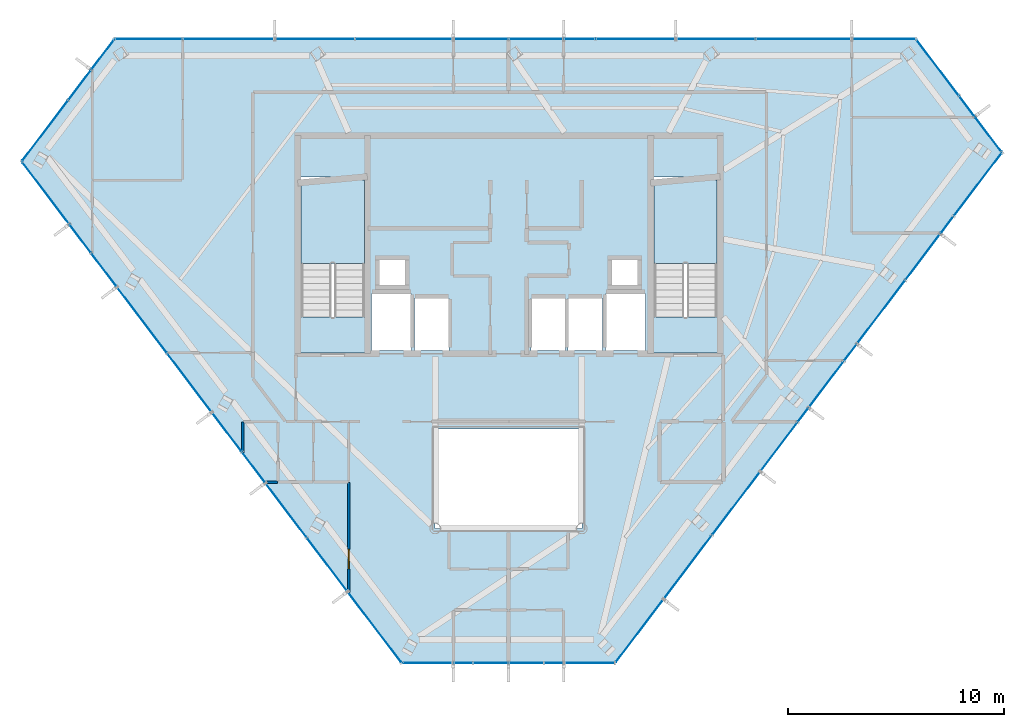
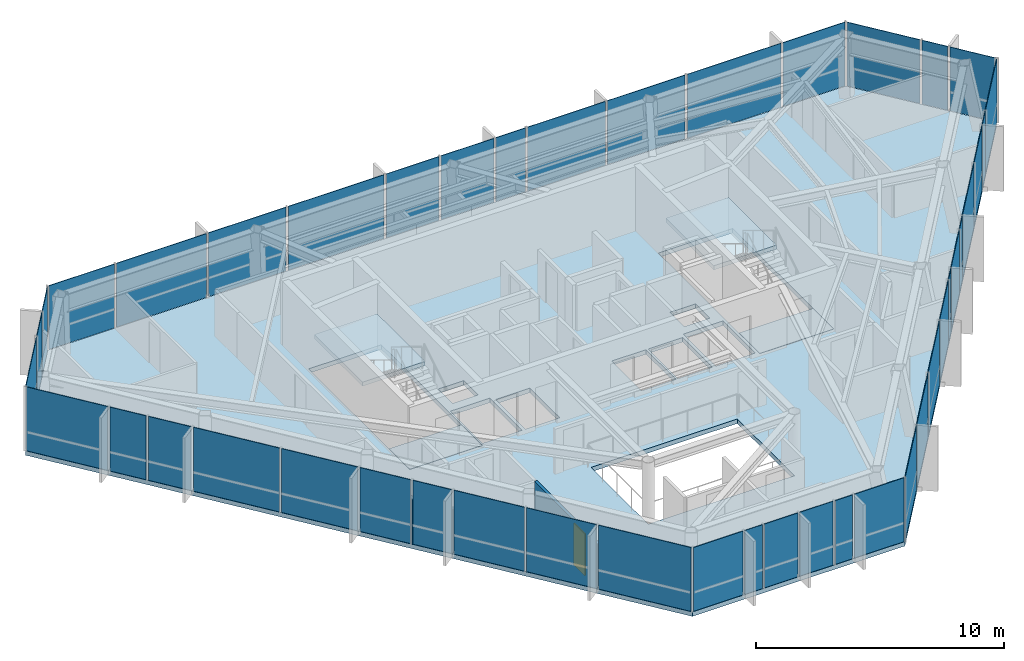
# One storey, part 21 of 26: 44 plates, 5 slabs, 3 walls, 1 door, 1 opening, 8 elements without a shape of their own.
"""IFC4 building model written with IfcOpenShell, lengths in metres."""

from ifc_helpers import new_model, si_unit, direction, frame, frame_2d, origin, origin_2d, place, context, subcontext, project, spatial, polyline, rectangle, outline, extrude, material, layer, layer_set, type_object, element, fill, aggregate, save


model = new_model("IFC4")

# Units and contexts
model_context = context("Model", 3, precision=1e-05, world=origin(), true_north=direction((0.0, 1.0)))
body_context = subcontext(model_context, "Body", "Model", "MODEL_VIEW")
ifc_project = project(units=[si_unit("LENGTHUNIT", "METRE"), si_unit("AREAUNIT", "SQUARE_METRE"), si_unit("VOLUMEUNIT", "CUBIC_METRE"), si_unit("PLANEANGLEUNIT", "RADIAN"), si_unit("MASSUNIT", "GRAM", prefix="KILO")], contexts=[model_context])

# Site, building, storey
site_placement = place(None, origin())
site = spatial("IfcSite", under=ifc_project, at=site_placement, CompositionType="ELEMENT")
building_placement = place(site_placement, origin())
building = spatial("IfcBuilding", under=site, at=building_placement, Name="Zarrinselat Tower", CompositionType="ELEMENT")
storey_placement = place(building_placement, frame((0.0, 0.0, 265.199951171875)))
storey = spatial("IfcBuildingStorey", under=building, at=storey_placement, Name="L67", CompositionType="ELEMENT", Elevation=265.199951171875)

# Curtain wall, plates
ifc_material_1 = material(Name="Extruded Aluminium Alloy EN AW-6063 T6", Category="aluminium")
ifc_layer_1 = layer(ifc_material_1, 0.169921875)
ifc_layer_set_1 = layer_set([ifc_layer_1], Name="Extruded Aluminium Alloy EN AW-6063 T6")
curtain_wall_type_1 = type_object("IfcCurtainWallType", Name="CWS-RES", PredefinedType="NOTDEFINED", material=ifc_layer_set_1)
curtain_wall_1_placement = place(storey_placement, origin())
curtain_wall_1 = element("IfcCurtainWall", 1, at=curtain_wall_1_placement, inside=storey, type_object=curtain_wall_type_1, Name="L67 Unitised Curtain Wall CW-L67-E01", PredefinedType="NOTDEFINED")
ifc_material_2 = material(Name="Double Low-E Laminated Solar Glass", Category="glass")
ifc_layer_2 = layer(ifc_material_2, 0.028076171875)
ifc_layer_set_2 = layer_set([ifc_layer_2], Name="Double Low-E Laminated Solar Glass")
plate_type = type_object("IfcPlateType", Name="PLT-CW-GL28", PredefinedType="CURTAIN_PANEL", material=ifc_layer_set_2)
plate_1_placement = place(storey_placement, frame((55.787841796875, 47.86669921875, 0.02001953125), z_axis=(0.0, 0.0, 1.0), x_axis=(-1.0, 0.0, 0.0)))
plate_1 = element("IfcPlate", 2, at=plate_1_placement, type_object=plate_type, Name="CW-L67-E01 Vision Glass Panel 1", PredefinedType="CURTAIN_PANEL", context=body_context, shape_type="SweptSolid", body=[
    extrude(rectangle(XDim=2.87353515625, YDim=0.028076171875, at=origin_2d()), origin(), (0.0, 0.0, 1.0), 3.139892578125),
])
plate_2_placement = place(storey_placement, frame((52.07568359375, 47.86669921875, 0.02001953125), z_axis=(0.0, 0.0, 1.0), x_axis=(-1.0, 0.0, 0.0)))
plate_2 = element("IfcPlate", 3, at=plate_2_placement, type_object=plate_type, Name="CW-L67-E01 Vision Glass Panel 2", PredefinedType="CURTAIN_PANEL", context=body_context, shape_type="SweptSolid", body=[
    extrude(rectangle(XDim=4.3505859375, YDim=0.028076171875, at=origin_2d()), origin(), (0.0, 0.0, 1.0), 3.139892578125),
])
plate_3_placement = place(storey_placement, frame((47.994384765625, 47.86669921875, 0.02001953125), z_axis=(0.0, 0.0, 1.0), x_axis=(-1.0, 0.0, 0.0)))
plate_3 = element("IfcPlate", 4, at=plate_3_placement, type_object=plate_type, Name="CW-L67-E01 Vision Glass Panel 3", PredefinedType="CURTAIN_PANEL", context=body_context, shape_type="SweptSolid", body=[
    extrude(rectangle(XDim=3.612060546875, YDim=0.028076171875, at=origin_2d()), origin(), (0.0, 0.0, 1.0), 3.139892578125),
])
plate_4_placement = place(storey_placement, frame((44.281982421875, 47.86669921875, 0.02001953125), z_axis=(0.0, 0.0, 1.0), x_axis=(-1.0, 0.0, 0.0)))
plate_4 = element("IfcPlate", 5, at=plate_4_placement, type_object=plate_type, Name="CW-L67-E01 Vision Glass Panel 4", PredefinedType="CURTAIN_PANEL", context=body_context, shape_type="SweptSolid", body=[
    extrude(rectangle(XDim=3.612060546875, YDim=0.028076171875, at=origin_2d()), origin(), (0.0, 0.0, 1.0), 3.139892578125),
])
plate_5_placement = place(storey_placement, frame((41.68798828125, 47.86669921875, 0.02001953125), z_axis=(0.0, 0.0, 1.0), x_axis=(-1.0, 0.0, 0.0)))
plate_5 = element("IfcPlate", 6, at=plate_5_placement, type_object=plate_type, Name="CW-L67-E01 Vision Glass Panel 5", PredefinedType="CURTAIN_PANEL", context=body_context, shape_type="SweptSolid", body=[
    extrude(rectangle(XDim=1.376220703125, YDim=0.028076171875, at=origin_2d()), origin(), (0.0, 0.0, 1.0), 3.139892578125),
])
plate_6_placement = place(storey_placement, frame((39.675048828125, 47.86669921875, 0.02001953125), z_axis=(0.0, 0.0, 1.0), x_axis=(-1.0, 0.0, 0.0)))
plate_6 = element("IfcPlate", 7, at=plate_6_placement, type_object=plate_type, Name="CW-L67-E01 Vision Glass Panel 6", PredefinedType="CURTAIN_PANEL", context=body_context, shape_type="SweptSolid", body=[
    extrude(rectangle(XDim=2.449951171875, YDim=0.028076171875, at=origin_2d()), origin(), (0.0, 0.0, 1.0), 3.139892578125),
])
plate_7_placement = place(storey_placement, frame((37.125, 47.86669921875, 0.02001953125), z_axis=(0.0, 0.0, 1.0), x_axis=(-1.0, 0.0, 0.0)))
plate_7 = element("IfcPlate", 8, at=plate_7_placement, type_object=plate_type, Name="CW-L67-E01 Vision Glass Panel 7", PredefinedType="CURTAIN_PANEL", context=body_context, shape_type="SweptSolid", body=[
    extrude(rectangle(XDim=2.449951171875, YDim=0.028076171875, at=origin_2d()), origin(), (0.0, 0.0, 1.0), 3.139892578125),
])
plate_8_placement = place(storey_placement, frame((33.56982421875, 47.86669921875, 0.02001953125), z_axis=(0.0, 0.0, 1.0), x_axis=(-1.0, 0.0, 0.0)))
plate_8 = element("IfcPlate", 9, at=plate_8_placement, type_object=plate_type, Name="CW-L67-E01 Vision Glass Panel 8", PredefinedType="CURTAIN_PANEL", context=body_context, shape_type="SweptSolid", body=[
    extrude(rectangle(XDim=4.460205078125, YDim=0.028076171875, at=origin_2d()), origin(), (0.0, 0.0, 1.0), 3.139892578125),
])
plate_9_placement = place(storey_placement, frame((29.43359375, 47.86669921875, 0.02001953125), z_axis=(0.0, 0.0, 1.0), x_axis=(-1.0, 0.0, 0.0)))
plate_9 = element("IfcPlate", 10, at=plate_9_placement, type_object=plate_type, Name="CW-L67-E01 Vision Glass Panel 9", PredefinedType="CURTAIN_PANEL", context=body_context, shape_type="SweptSolid", body=[
    extrude(rectangle(XDim=3.612060546875, YDim=0.028076171875, at=origin_2d()), origin(), (0.0, 0.0, 1.0), 3.139892578125),
])
plate_10_placement = place(storey_placement, frame((25.440673828125, 47.86669921875, 0.02001953125), z_axis=(0.0, 0.0, 1.0), x_axis=(-1.0, 0.0, 0.0)))
plate_10 = element("IfcPlate", 11, at=plate_10_placement, type_object=plate_type, Name="CW-L67-E01 Vision Glass Panel 10", PredefinedType="CURTAIN_PANEL", context=body_context, shape_type="SweptSolid", body=[
    extrude(rectangle(XDim=4.173828125, YDim=0.028076171875, at=origin_2d()), origin(), (0.0, 0.0, 1.0), 3.139892578125),
])
plate_11_placement = place(storey_placement, frame((21.728515625, 47.86669921875, 0.02001953125), z_axis=(0.0, 0.0, 1.0), x_axis=(-1.0, 0.0, 0.0)))
plate_11 = element("IfcPlate", 12, at=plate_11_placement, type_object=plate_type, Name="CW-L67-E01 Vision Glass Panel 11", PredefinedType="CURTAIN_PANEL", context=body_context, shape_type="SweptSolid", body=[
    extrude(rectangle(XDim=3.05029296875, YDim=0.028076171875, at=origin_2d()), origin(), (0.0, 0.0, 1.0), 3.139892578125),
])
aggregate(curtain_wall_1, [plate_1, plate_2, plate_3, plate_4, plate_5, plate_6, plate_7, plate_8, plate_9, plate_10, plate_11])

curtain_wall_2_placement = place(storey_placement, origin())
curtain_wall_2 = element("IfcCurtainWall", 13, at=curtain_wall_2_placement, inside=storey, type_object=curtain_wall_type_1, Name="L67 Unitised Curtain Wall CW-L67-E02", PredefinedType="NOTDEFINED")
plate_12_placement = place(storey_placement, frame((19.613525390625, 47.154296875, 0.02001953125), z_axis=(0.0, 0.0, 1.0), x_axis=(-0.60385470922, -0.797094404793, 0.0)))
plate_12 = element("IfcPlate", 14, at=plate_12_placement, type_object=plate_type, Name="CW-L67-E02 Vision Glass Panel 1", PredefinedType="CURTAIN_PANEL", context=body_context, shape_type="SweptSolid", body=[
    extrude(rectangle(XDim=1.687744140625, YDim=0.028076171875, at=origin_2d()), origin(), (0.0, 0.0, 1.0), 3.139892578125),
])
plate_13_placement = place(storey_placement, frame((18.540283203125, 45.7373046875, 0.02001953125), z_axis=(0.0, 0.0, 1.0), x_axis=(-0.60385470922, -0.797094404793, 0.0)))
plate_13 = element("IfcPlate", 15, at=plate_13_placement, type_object=plate_type, Name="CW-L67-E02 Vision Glass Panel 2", PredefinedType="CURTAIN_PANEL", context=body_context, shape_type="SweptSolid", body=[
    extrude(rectangle(XDim=1.667236328125, YDim=0.028076171875, at=origin_2d()), origin(), (0.0, 0.0, 1.0), 3.139892578125),
])
plate_14_placement = place(storey_placement, frame((16.933349609375, 43.6162109375, 0.02001953125), z_axis=(0.0, 0.0, 1.0), x_axis=(-0.60385470922, -0.797094404793, 0.0)))
plate_14 = element("IfcPlate", 16, at=plate_14_placement, type_object=plate_type, Name="CW-L67-E02 Vision Glass Panel 3", PredefinedType="CURTAIN_PANEL", context=body_context, shape_type="SweptSolid", body=[
    extrude(rectangle(XDim=3.454833984375, YDim=0.028076171875, at=origin_2d()), origin(), (0.0, 0.0, 1.0), 3.139892578125),
])
aggregate(curtain_wall_2, [plate_12, plate_13, plate_14])

curtain_wall_3_placement = place(storey_placement, origin())
curtain_wall_3 = element("IfcCurtainWall", 17, at=curtain_wall_3_placement, inside=storey, type_object=curtain_wall_type_1, Name="L67 Unitised Curtain Wall CW-L67-E03", PredefinedType="NOTDEFINED")
plate_15_placement = place(storey_placement, frame((16.959716796875, 40.747802734375, 0.02001953125), z_axis=(0.0, 0.0, 1.0), x_axis=(0.603858282603, -0.797091697694, 0.0)))
plate_15 = element("IfcPlate", 18, at=plate_15_placement, type_object=plate_type, Name="CW-L67-E03 Vision Glass Panel 1", PredefinedType="CURTAIN_PANEL", context=body_context, shape_type="SweptSolid", body=[
    extrude(rectangle(XDim=3.542724609375, YDim=0.028076171875, at=origin_2d()), origin(), (0.0, 0.0, 1.0), 3.139892578125),
])
plate_16_placement = place(storey_placement, frame((18.566650390625, 38.626708984375, 0.02001953125), z_axis=(0.0, 0.0, 1.0), x_axis=(0.603858282603, -0.797091697694, 0.0)))
plate_16 = element("IfcPlate", 19, at=plate_16_placement, type_object=plate_type, Name="CW-L67-E03 Vision Glass Panel 2", PredefinedType="CURTAIN_PANEL", context=body_context, shape_type="SweptSolid", body=[
    extrude(rectangle(XDim=1.579345703125, YDim=0.028076171875, at=origin_2d()), origin(), (0.0, 0.0, 1.0), 3.139892578125),
])
plate_17_placement = place(storey_placement, frame((19.66650390625, 37.1748046875, 0.02001953125), z_axis=(0.0, 0.0, 1.0), x_axis=(0.603858282603, -0.797091697694, 0.0)))
plate_17 = element("IfcPlate", 20, at=plate_17_placement, type_object=plate_type, Name="CW-L67-E03 Vision Glass Panel 3", PredefinedType="CURTAIN_PANEL", context=body_context, shape_type="SweptSolid", body=[
    extrude(rectangle(XDim=1.86328125, YDim=0.028076171875, at=origin_2d()), origin(), (0.0, 0.0, 1.0), 3.139892578125),
])
plate_18_placement = place(storey_placement, frame((21.42626953125, 34.85205078125, 0.02001953125), z_axis=(0.0, 0.0, 1.0), x_axis=(0.603858282603, -0.797091697694, 0.0)))
plate_18 = element("IfcPlate", 21, at=plate_18_placement, type_object=plate_type, Name="CW-L67-E03 Vision Glass Panel 4", PredefinedType="CURTAIN_PANEL", context=body_context, shape_type="SweptSolid", body=[
    extrude(rectangle(XDim=3.764892578125, YDim=0.028076171875, at=origin_2d()), origin(), (0.0, 0.0, 1.0), 3.139892578125),
])
plate_19_placement = place(storey_placement, frame((23.6259765625, 31.948486328125, 0.02001953125), z_axis=(0.0, 0.0, 1.0), x_axis=(0.603858282603, -0.797091697694, 0.0)))
plate_19 = element("IfcPlate", 22, at=plate_19_placement, type_object=plate_type, Name="CW-L67-E03 Vision Glass Panel 5", PredefinedType="CURTAIN_PANEL", context=body_context, shape_type="SweptSolid", body=[
    extrude(rectangle(XDim=3.320556640625, YDim=0.028076171875, at=origin_2d()), origin(), (0.0, 0.0, 1.0), 3.139892578125),
])
plate_20_placement = place(storey_placement, frame((25.35546875, 29.66552734375, 0.02001953125), z_axis=(0.0, 0.0, 1.0), x_axis=(0.603858282603, -0.797091697694, 0.0)))
plate_20 = element("IfcPlate", 23, at=plate_20_placement, type_object=plate_type, Name="CW-L67-E03 Vision Glass Panel 6", PredefinedType="CURTAIN_PANEL", context=body_context, shape_type="SweptSolid", body=[
    extrude(rectangle(XDim=2.207763671875, YDim=0.028076171875, at=origin_2d()), origin(), (0.0, 0.0, 1.0), 3.139892578125),
])
plate_21_placement = place(storey_placement, frame((26.594482421875, 28.02978515625, 0.02001953125), z_axis=(0.0, 0.0, 1.0), x_axis=(0.603858282603, -0.797091697694, 0.0)))
plate_21 = element("IfcPlate", 24, at=plate_21_placement, type_object=plate_type, Name="CW-L67-E03 Vision Glass Panel 7", PredefinedType="CURTAIN_PANEL", context=body_context, shape_type="SweptSolid", body=[
    extrude(rectangle(XDim=1.696533203125, YDim=0.028076171875, at=origin_2d()), origin(), (0.0, 0.0, 1.0), 3.139892578125),
])
plate_22_placement = place(storey_placement, frame((28.097412109375, 26.0458984375, 0.02001953125), z_axis=(0.0, 0.0, 1.0), x_axis=(0.603858282603, -0.797091697694, 0.0)))
plate_22 = element("IfcPlate", 25, at=plate_22_placement, type_object=plate_type, Name="CW-L67-E03 Vision Glass Panel 8", PredefinedType="CURTAIN_PANEL", context=body_context, shape_type="SweptSolid", body=[
    extrude(rectangle(XDim=3.0810546875, YDim=0.028076171875, at=origin_2d()), origin(), (0.0, 0.0, 1.0), 3.139892578125),
])
plate_23_placement = place(storey_placement, frame((30.004150390625, 23.529296875, 0.02001953125), z_axis=(0.0, 0.0, 1.0), x_axis=(0.603858282603, -0.797091697694, 0.0)))
plate_23 = element("IfcPlate", 26, at=plate_23_placement, type_object=plate_type, Name="CW-L67-E03 Vision Glass Panel 9", PredefinedType="CURTAIN_PANEL", context=body_context, shape_type="SweptSolid", body=[
    extrude(rectangle(XDim=3.033447265625, YDim=0.028076171875, at=origin_2d()), origin(), (0.0, 0.0, 1.0), 3.139892578125),
])
plate_24_placement = place(storey_placement, frame((32.20361328125, 20.625732421875, 0.02001953125), z_axis=(0.0, 0.0, 1.0), x_axis=(0.603858282603, -0.797091697694, 0.0)))
plate_24 = element("IfcPlate", 27, at=plate_24_placement, type_object=plate_type, Name="CW-L67-E03 Vision Glass Panel 10", PredefinedType="CURTAIN_PANEL", context=body_context, shape_type="SweptSolid", body=[
    extrude(rectangle(XDim=4.0517578125, YDim=0.028076171875, at=origin_2d()), origin(), (0.0, 0.0, 1.0), 3.139892578125),
])
aggregate(curtain_wall_3, [plate_15, plate_16, plate_17, plate_18, plate_19, plate_20, plate_21, plate_22, plate_23, plate_24])

curtain_wall_4_placement = place(storey_placement, origin())
curtain_wall_4 = element("IfcCurtainWall", 28, at=curtain_wall_4_placement, inside=storey, type_object=curtain_wall_type_1, Name="L67 Unitised Curtain Wall CW-L67-E04", PredefinedType="NOTDEFINED")
plate_25_placement = place(storey_placement, frame((34.653564453125, 18.97119140625, 0.02001953125), z_axis=(0.0, 0.0, 1.0), x_axis=(1.0, 0.0, 0.0)))
plate_25 = element("IfcPlate", 29, at=plate_25_placement, type_object=plate_type, Name="CW-L67-E04 Vision Glass Panel 1", PredefinedType="CURTAIN_PANEL", context=body_context, shape_type="SweptSolid", body=[
    extrude(rectangle(XDim=2.292724609375, YDim=0.028076171875, at=origin_2d()), origin(), (0.0, 0.0, 1.0), 3.139892578125),
])
plate_26_placement = place(storey_placement, frame((36.30126953125, 18.97119140625, 0.02001953125), z_axis=(0.0, 0.0, 1.0), x_axis=(1.0, 0.0, 0.0)))
plate_26 = element("IfcPlate", 30, at=plate_26_placement, type_object=plate_type, Name="CW-L67-E04 Vision Glass Panel 2", PredefinedType="CURTAIN_PANEL", context=body_context, shape_type="SweptSolid", body=[
    extrude(rectangle(XDim=0.802490234375, YDim=0.028076171875, at=origin_2d()), origin(), (0.0, 0.0, 1.0), 3.139892578125),
])
plate_27_placement = place(storey_placement, frame((37.576171875, 18.97119140625, 0.02001953125), z_axis=(0.0, 0.0, 1.0), x_axis=(1.0, 0.0, 0.0)))
plate_27 = element("IfcPlate", 31, at=plate_27_placement, type_object=plate_type, Name="CW-L67-E04 Vision Glass Panel 3", PredefinedType="CURTAIN_PANEL", context=body_context, shape_type="SweptSolid", body=[
    extrude(rectangle(XDim=1.547607421875, YDim=0.028076171875, at=origin_2d()), origin(), (0.0, 0.0, 1.0), 3.139892578125),
])
plate_28_placement = place(storey_placement, frame((39.223876953125, 18.97119140625, 0.02001953125), z_axis=(0.0, 0.0, 1.0), x_axis=(1.0, 0.0, 0.0)))
plate_28 = element("IfcPlate", 32, at=plate_28_placement, type_object=plate_type, Name="CW-L67-E04 Vision Glass Panel 4", PredefinedType="CURTAIN_PANEL", context=body_context, shape_type="SweptSolid", body=[
    extrude(rectangle(XDim=1.547607421875, YDim=0.028076171875, at=origin_2d()), origin(), (0.0, 0.0, 1.0), 3.139892578125),
])
plate_29_placement = place(storey_placement, frame((40.498779296875, 18.97119140625, 0.02001953125), z_axis=(0.0, 0.0, 1.0), x_axis=(1.0, 0.0, 0.0)))
plate_29 = element("IfcPlate", 33, at=plate_29_placement, type_object=plate_type, Name="CW-L67-E04 Vision Glass Panel 5", PredefinedType="CURTAIN_PANEL", context=body_context, shape_type="SweptSolid", body=[
    extrude(rectangle(XDim=0.802490234375, YDim=0.028076171875, at=origin_2d()), origin(), (0.0, 0.0, 1.0), 3.139892578125),
])
plate_30_placement = place(storey_placement, frame((42.146240234375, 18.97119140625, 0.02001953125), z_axis=(0.0, 0.0, 1.0), x_axis=(1.0, 0.0, 0.0)))
plate_30 = element("IfcPlate", 34, at=plate_30_placement, type_object=plate_type, Name="CW-L67-E04 Vision Glass Panel 6", PredefinedType="CURTAIN_PANEL", context=body_context, shape_type="SweptSolid", body=[
    extrude(rectangle(XDim=2.292724609375, YDim=0.028076171875, at=origin_2d()), origin(), (0.0, 0.0, 1.0), 3.139892578125),
])
aggregate(curtain_wall_4, [plate_25, plate_26, plate_27, plate_28, plate_29, plate_30])

ifc_material_3 = material(Name="Extruded Aluminium Alloy EN AW-6063 T6", Category="aluminium")
ifc_layer_3 = layer(ifc_material_3, 0.199951171875)
ifc_layer_set_3 = layer_set([ifc_layer_3], Name="Extruded Aluminium Alloy EN AW-6063 T6")
curtain_wall_type_2 = type_object("IfcCurtainWallType", Name="CWS-BLADE", PredefinedType="NOTDEFINED", material=ifc_layer_set_3)
curtain_wall_5_placement = place(storey_placement, origin())
curtain_wall_5 = element("IfcCurtainWall", 35, at=curtain_wall_5_placement, inside=storey, type_object=curtain_wall_type_2, Name="L67 Unitised Curtain Wall CW-L67-E05", PredefinedType="NOTDEFINED")
plate_31_placement = place(storey_placement, frame((44.462158203125, 20.44873046875, 0.02001953125), z_axis=(0.0, 0.0, 1.0), x_axis=(0.603859570382, 0.7970907221, 0.0)))
plate_31 = element("IfcPlate", 36, at=plate_31_placement, type_object=plate_type, Name="CW-L67-E05 Vision Glass Panel 1", PredefinedType="CURTAIN_PANEL", context=body_context, shape_type="SweptSolid", body=[
    extrude(rectangle(XDim=3.607666015625, YDim=0.028076171875, at=origin_2d()), origin(), (0.0, 0.0, 1.0), 3.139892578125),
])
plate_32_placement = place(storey_placement, frame((46.701171875, 23.404052734375, 0.02001953125), z_axis=(0.0, 0.0, 1.0), x_axis=(0.603859570382, 0.7970907221, 0.0)))
plate_32 = element("IfcPlate", 37, at=plate_32_placement, type_object=plate_type, Name="CW-L67-E05 Vision Glass Panel 2", PredefinedType="CURTAIN_PANEL", context=body_context, shape_type="SweptSolid", body=[
    extrude(rectangle(XDim=3.607666015625, YDim=0.028076171875, at=origin_2d()), origin(), (0.0, 0.0, 1.0), 3.139892578125),
])
plate_33_placement = place(storey_placement, frame((48.93994140625, 26.359619140625, 0.02001953125), z_axis=(0.0, 0.0, 1.0), x_axis=(0.603859570382, 0.7970907221, 0.0)))
plate_33 = element("IfcPlate", 38, at=plate_33_placement, type_object=plate_type, Name="CW-L67-E05 Vision Glass Panel 3", PredefinedType="CURTAIN_PANEL", context=body_context, shape_type="SweptSolid", body=[
    extrude(rectangle(XDim=3.607666015625, YDim=0.028076171875, at=origin_2d()), origin(), (0.0, 0.0, 1.0), 3.139892578125),
])
plate_34_placement = place(storey_placement, frame((50.921875, 28.9755859375, 0.02001953125), z_axis=(0.0, 0.0, 1.0), x_axis=(0.603859570382, 0.7970907221, 0.0)))
plate_34 = element("IfcPlate", 39, at=plate_34_placement, type_object=plate_type, Name="CW-L67-E05 Vision Glass Panel 4", PredefinedType="CURTAIN_PANEL", context=body_context, shape_type="SweptSolid", body=[
    extrude(rectangle(XDim=2.756103515625, YDim=0.028076171875, at=origin_2d()), origin(), (0.0, 0.0, 1.0), 3.139892578125),
])
plate_35_placement = place(storey_placement, frame((52.041259765625, 30.453125, 0.02001953125), z_axis=(0.0, 0.0, 1.0), x_axis=(0.603859570382, 0.7970907221, 0.0)))
plate_35 = element("IfcPlate", 40, at=plate_35_placement, type_object=plate_type, Name="CW-L67-E05 Vision Glass Panel 5", PredefinedType="CURTAIN_PANEL", context=body_context, shape_type="SweptSolid", body=[
    extrude(rectangle(XDim=0.75146484375, YDim=0.028076171875, at=origin_2d()), origin(), (0.0, 0.0, 1.0), 3.139892578125),
])
plate_36_placement = place(storey_placement, frame((53.111328125, 31.86572265625, 0.02001953125), z_axis=(0.0, 0.0, 1.0), x_axis=(0.603859570382, 0.7970907221, 0.0)))
plate_36 = element("IfcPlate", 41, at=plate_36_placement, type_object=plate_type, Name="CW-L67-E05 Vision Glass Panel 6", PredefinedType="CURTAIN_PANEL", context=body_context, shape_type="SweptSolid", body=[
    extrude(rectangle(XDim=2.5927734375, YDim=0.028076171875, at=origin_2d()), origin(), (0.0, 0.0, 1.0), 3.139892578125),
])
plate_37_placement = place(storey_placement, frame((54.230712890625, 33.34326171875, 0.02001953125), z_axis=(0.0, 0.0, 1.0), x_axis=(0.603859570382, 0.7970907221, 0.0)))
plate_37 = element("IfcPlate", 42, at=plate_37_placement, type_object=plate_type, Name="CW-L67-E05 Vision Glass Panel 7", PredefinedType="CURTAIN_PANEL", context=body_context, shape_type="SweptSolid", body=[
    extrude(rectangle(XDim=0.9150390625, YDim=0.028076171875, at=origin_2d()), origin(), (0.0, 0.0, 1.0), 3.139892578125),
])
plate_38_placement = place(storey_placement, frame((55.65673828125, 35.2255859375, 0.02001953125), z_axis=(0.0, 0.0, 1.0), x_axis=(0.603859570382, 0.7970907221, 0.0)))
plate_38 = element("IfcPlate", 43, at=plate_38_placement, type_object=plate_type, Name="CW-L67-E05 Vision Glass Panel 8", PredefinedType="CURTAIN_PANEL", context=body_context, shape_type="SweptSolid", body=[
    extrude(rectangle(XDim=3.607666015625, YDim=0.028076171875, at=origin_2d()), origin(), (0.0, 0.0, 1.0), 3.139892578125),
])
plate_39_placement = place(storey_placement, frame((57.589599609375, 37.777099609375, 0.02001953125), z_axis=(0.0, 0.0, 1.0), x_axis=(0.603859570382, 0.7970907221, 0.0)))
plate_39 = element("IfcPlate", 44, at=plate_39_placement, type_object=plate_type, Name="CW-L67-E05 Vision Glass Panel 9", PredefinedType="CURTAIN_PANEL", context=body_context, shape_type="SweptSolid", body=[
    extrude(rectangle(XDim=2.594482421875, YDim=0.028076171875, at=origin_2d()), origin(), (0.0, 0.0, 1.0), 3.139892578125),
])
plate_40_placement = place(storey_placement, frame((58.708984375, 39.254638671875, 0.02001953125), z_axis=(0.0, 0.0, 1.0), x_axis=(0.603859570382, 0.7970907221, 0.0)))
plate_40 = element("IfcPlate", 45, at=plate_40_placement, type_object=plate_type, Name="CW-L67-E05 Vision Glass Panel 10", PredefinedType="CURTAIN_PANEL", context=body_context, shape_type="SweptSolid", body=[
    extrude(rectangle(XDim=0.913330078125, YDim=0.028076171875, at=origin_2d()), origin(), (0.0, 0.0, 1.0), 3.139892578125),
])
plate_41_placement = place(storey_placement, frame((60.134521484375, 41.13623046875, 0.02001953125), z_axis=(0.0, 0.0, 1.0), x_axis=(0.603859570382, 0.7970907221, 0.0)))
plate_41 = element("IfcPlate", 46, at=plate_41_placement, type_object=plate_type, Name="CW-L67-E05 Vision Glass Panel 11", PredefinedType="CURTAIN_PANEL", context=body_context, shape_type="SweptSolid", body=[
    extrude(rectangle(XDim=3.607666015625, YDim=0.028076171875, at=origin_2d()), origin(), (0.0, 0.0, 1.0), 3.139892578125),
])
aggregate(curtain_wall_5, [plate_31, plate_32, plate_33, plate_34, plate_35, plate_36, plate_37, plate_38, plate_39, plate_40, plate_41])

curtain_wall_6_placement = place(storey_placement, origin())
curtain_wall_6 = element("IfcCurtainWall", 47, at=curtain_wall_6_placement, inside=storey, type_object=curtain_wall_type_1, Name="L67 Unitised Curtain Wall CW-L67-E06", PredefinedType="NOTDEFINED")
plate_42_placement = place(storey_placement, frame((60.624755859375, 43.444580078125, 0.02001953125), z_axis=(0.0, 0.0, 1.0), x_axis=(-0.603858272322, 0.797091705482, 0.0)))
plate_42 = element("IfcPlate", 48, at=plate_42_placement, type_object=plate_type, Name="CW-L67-E06 Vision Glass Panel 1", PredefinedType="CURTAIN_PANEL", context=body_context, shape_type="SweptSolid", body=[
    extrude(rectangle(XDim=1.98388671875, YDim=0.028076171875, at=origin_2d()), origin(), (0.0, 0.0, 1.0), 3.139892578125),
])
plate_43_placement = place(storey_placement, frame((59.6298828125, 44.7578125, 0.02001953125), z_axis=(0.0, 0.0, 1.0), x_axis=(-0.603858272322, 0.797091705482, 0.0)))
plate_43 = element("IfcPlate", 49, at=plate_43_placement, type_object=plate_type, Name="CW-L67-E06 Vision Glass Panel 2", PredefinedType="CURTAIN_PANEL", context=body_context, shape_type="SweptSolid", body=[
    extrude(rectangle(XDim=1.111083984375, YDim=0.028076171875, at=origin_2d()), origin(), (0.0, 0.0, 1.0), 3.139892578125),
])
plate_44_placement = place(storey_placement, frame((58.269287109375, 46.553466796875, 0.02001953125), z_axis=(0.0, 0.0, 1.0), x_axis=(-0.603858272322, 0.797091705482, 0.0)))
plate_44 = element("IfcPlate", 50, at=plate_44_placement, type_object=plate_type, Name="CW-L67-E06 Vision Glass Panel 3", PredefinedType="CURTAIN_PANEL", context=body_context, shape_type="SweptSolid", body=[
    extrude(rectangle(XDim=3.195068359375, YDim=0.028076171875, at=origin_2d()), origin(), (0.0, 0.0, 1.0), 3.139892578125),
])
aggregate(curtain_wall_6, [plate_42, plate_43, plate_44])

# Slabs
ifc_material_4 = material(Name="Concrete C40/50", Category="concrete")
ifc_layer_4 = layer(ifc_material_4, 0.219970703125)
ifc_layer_set_4 = layer_set([ifc_layer_4], Name="Concrete C40/50")
slab_type_1 = type_object("IfcSlabType", Name="SLB-FLOOR-220-SL-RS220", PredefinedType="FLOOR", material=ifc_layer_set_4)
slab_1_placement = place(storey_placement, frame((0.0, 0.0, -0.219970703125)))
element("IfcSlab", 51, at=slab_1_placement, inside=storey, type_object=slab_type_1, Name="L67 Primary Structural Slab", PredefinedType="FLOOR", context=body_context, shape_type="SweptSolid", body=[
    extrude(outline(polyline([(57.274658203125, 47.86669921875), (20.1533203125, 47.86669921875), (15.860107421875, 42.199462890625), (33.457275390625, 18.97119140625), (43.3427734375, 18.97119140625), (61.25390625, 42.614013671875), (57.274658203125, 47.86669921875)]), holes=[polyline([(41.800048828125, 25.199951171875), (35.0, 25.199951171875), (35.0, 29.800048828125), (41.800048828125, 29.800048828125), (41.800048828125, 25.199951171875)]), polyline([(35.64990234375, 33.449951171875), (34.050048828125, 33.449951171875), (34.050048828125, 35.85009765625), (35.64990234375, 35.85009765625), (35.64990234375, 33.449951171875)]), polyline([(41.050048828125, 33.449951171875), (39.449951171875, 33.449951171875), (39.449951171875, 35.85009765625), (41.050048828125, 35.85009765625), (41.050048828125, 33.449951171875)]), polyline([(41.14990234375, 33.449951171875), (41.14990234375, 35.85009765625), (42.75, 35.85009765625), (42.75, 33.449951171875), (41.14990234375, 33.449951171875)]), polyline([(32.06005859375, 33.449951171875), (32.06005859375, 36.050048828125), (33.89990234375, 36.050048828125), (33.89990234375, 33.449951171875), (32.06005859375, 33.449951171875)]), polyline([(44.739990234375, 33.449951171875), (42.89990234375, 33.449951171875), (42.89990234375, 36.050048828125), (44.739990234375, 36.050048828125), (44.739990234375, 33.449951171875)]), polyline([(33.60009765625, 36.47998046875), (32.419921875, 36.47998046875), (32.419921875, 37.639892578125), (33.60009765625, 37.639892578125), (33.60009765625, 36.47998046875)]), polyline([(44.3798828125, 36.47998046875), (43.199951171875, 36.47998046875), (43.199951171875, 37.639892578125), (44.3798828125, 37.639892578125), (44.3798828125, 36.47998046875)]), polyline([(31.985107421875, 33.324951171875), (28.60498046875, 33.324951171875), (28.60498046875, 41.47509765625), (31.985107421875, 41.47509765625), (31.985107421875, 33.324951171875)]), polyline([(48.324951171875, 33.324951171875), (44.875, 33.324951171875), (44.875, 41.47509765625), (48.324951171875, 41.47509765625), (48.324951171875, 33.324951171875)])]), origin(), (0.0, 0.0, 1.0), 0.219970703125),
])
slab_2_placement = place(storey_placement, frame((0.0, 0.0, -0.219970703125)))
element("IfcSlab", 52, at=slab_2_placement, inside=storey, type_object=slab_type_1, Name="L67 Stair ST-1-FL1 Structural Floor Landing", PredefinedType="FLOOR", context=body_context, shape_type="SweptSolid", body=[
    extrude(outline(polyline([(31.97998046875, 33.330078125), (31.97998046875, 35.0), (28.610107421875, 35.0), (28.610107421875, 33.330078125), (31.97998046875, 33.330078125)])), origin(), (0.0, 0.0, 1.0), 0.219970703125),
])
slab_3_placement = place(storey_placement, frame((0.0, 0.0, -0.219970703125)))
element("IfcSlab", 53, at=slab_3_placement, inside=storey, type_object=slab_type_1, Name="L67 Stair ST-2-FL1 Structural Floor Landing", PredefinedType="FLOOR", context=body_context, shape_type="SweptSolid", body=[
    extrude(outline(polyline([(48.320068359375, 33.330078125), (48.320068359375, 35.0), (44.8798828125, 35.0), (44.8798828125, 33.330078125), (48.320068359375, 33.330078125)])), origin(), (0.0, 0.0, 1.0), 0.219970703125),
])

# Stair, slab
ifc_material_5 = material(Name="Concrete C40/50", Category="concrete")
stair_type = type_object("IfcStairType", Name="STR-CORE-155", PredefinedType="HALF_TURN_STAIR", material=ifc_material_5)
stair_1_placement = place(storey_placement, origin())
stair_1 = element("IfcStair", 54, at=stair_1_placement, inside=storey, type_object=stair_type, Name="L67 Core Exit Stair 1", PredefinedType="HALF_TURN_STAIR")
ifc_material_6 = material(Name="Concrete C40/50", Category="concrete")
ifc_layer_5 = layer(ifc_material_6, 0.18994140625)
ifc_layer_set_5 = layer_set([ifc_layer_5], Name="Concrete C40/50")
slab_type_2 = type_object("IfcSlabType", Name="SLB-LND-190", PredefinedType="LANDING", material=ifc_layer_set_5)
slab_4_placement = place(storey_placement, frame((0.0, 0.0, 1.5)))
slab_4 = element("IfcSlab", 55, at=slab_4_placement, type_object=slab_type_2, Name="ST-1 landing 1", PredefinedType="LANDING", context=body_context, shape_type="SweptSolid", body=[
    extrude(outline(polyline([(31.719970703125, 37.47998046875), (31.719970703125, 41.35009765625), (28.800048828125, 41.35009765625), (28.800048828125, 37.47998046875), (31.719970703125, 37.47998046875)])), origin(), (0.0, 0.0, 1.0), 0.199951171875),
])
aggregate(stair_1, [slab_4])

stair_2_placement = place(storey_placement, origin())
stair_2 = element("IfcStair", 56, at=stair_2_placement, inside=storey, type_object=stair_type, Name="L67 Core Exit Stair 2", PredefinedType="HALF_TURN_STAIR")
slab_5_placement = place(storey_placement, frame((0.0, 0.0, 1.5)))
slab_5 = element("IfcSlab", 57, at=slab_5_placement, type_object=slab_type_2, Name="ST-2 landing 1", PredefinedType="LANDING", context=body_context, shape_type="SweptSolid", body=[
    extrude(outline(polyline([(48.06005859375, 37.47998046875), (48.06005859375, 41.35009765625), (45.139892578125, 41.35009765625), (45.139892578125, 37.47998046875), (48.06005859375, 37.47998046875)])), origin(), (0.0, 0.0, 1.0), 0.199951171875),
])
aggregate(stair_2, [slab_5])

# Walls
ifc_material_7 = material(Name="Fire-Rated Gypsum Board Partition", Category="gypsum")
ifc_layer_6 = layer(ifc_material_7, 0.1201171875)
ifc_layer_set_6 = layer_set([ifc_layer_6], Name="Fire-Rated Gypsum Board Partition")
wall_type = type_object("IfcWallType", Name="WAL-PART-STD", PredefinedType="PARTITIONING", material=ifc_layer_set_6)
wall_1_placement = place(storey_placement, frame((27.12451171875, 27.35009765625, 0.0), z_axis=(0.0, 0.0, 1.0), x_axis=(1.0, 0.0, 0.0)))
element("IfcWall", 58, at=wall_1_placement, inside=storey, type_object=wall_type, Name="L67 Partition Wall 45", PredefinedType="PARTITIONING", context=body_context, shape_type="SweptSolid", body=[
    extrude(rectangle(XDim=0.58544921875, YDim=0.1201171875, at=frame_2d((0.292724609375, 0.0))), origin(), (0.0, 0.0, 1.0), 2.235107421875),
])
wall_2_placement = place(storey_placement, frame((26.10009765625, 28.69775390625, 0.0), z_axis=(0.0, 0.0, 1.0), x_axis=(0.0, 1.0, 0.0)))
element("IfcWall", 59, at=wall_2_placement, inside=storey, type_object=wall_type, Name="L67 Partition Wall 46", PredefinedType="PARTITIONING", context=body_context, shape_type="SweptSolid", body=[
    extrude(rectangle(XDim=1.43212890625, YDim=0.1201171875, at=frame_2d((0.716064453125, 0.0))), origin(), (0.0, 0.0, 1.0), 2.235107421875),
])

# Wall, opening, door
wall_3_placement = place(storey_placement, frame((30.998046875, 22.232421875, 0.0), z_axis=(0.0, 0.0, 1.0), x_axis=(0.0, 1.0, 0.0)))
wall_3 = element("IfcWall", 60, at=wall_3_placement, inside=storey, type_object=wall_type, Name="L67 Partition Wall 52", PredefinedType="PARTITIONING", context=body_context, shape_type="SweptSolid", body=[
    extrude(rectangle(XDim=5.09765625, YDim=0.1201171875, at=frame_2d((2.548828125, 0.0))), origin(), (0.0, 0.0, 1.0), 2.235107421875),
])
opening_placement = place(wall_3_placement, frame((1.098876953125, 0.0, 0.0)))
opening = element("IfcOpeningElement", 61, at=opening_placement, cuts=wall_3, Name="Opening ID-05", PredefinedType="OPENING", context=body_context, shape_type="SweptSolid", body=[
    extrude(rectangle(XDim=0.89990234375, YDim=2.050048828125, at=frame_2d((0.449951171875, 1.02490234375))), frame((0.0, 0.070068359375, 0.0), z_axis=(0.0, -1.0, 0.0), x_axis=(1.0, 0.0, 0.0)), (0.0, 0.0, 1.0), 0.14013671875),
])
ifc_material_8 = material(Name="Extruded Aluminium Alloy EN AW-6063 T6", Category="aluminium")
door_type = type_object("IfcDoorType", Name="DR-INT-STD-920", OperationType="NOTDEFINED", PredefinedType="DOOR", material=ifc_material_8)
door_placement = place(opening_placement, origin())
door = element("IfcDoor", 62, at=door_placement, inside=storey, type_object=door_type, Name="L67 Interior Door P52", OperationType="SINGLE_SWING_RIGHT", OverallHeight=2.050048828125, OverallWidth=0.89990234375, PredefinedType="DOOR", context=body_context, shape_type="SweptSolid", body=[
    extrude(rectangle(XDim=0.89990234375, YDim=2.050048828125, at=frame_2d((0.449951171875, 1.02490234375))), frame((0.0, 0.02490234375, 0.0), z_axis=(0.0, -1.0, 0.0), x_axis=(1.0, 0.0, 0.0)), (0.0, 0.0, 1.0), 0.050048828125),
])
fill(opening, door)

save(model, "model.ifc")
